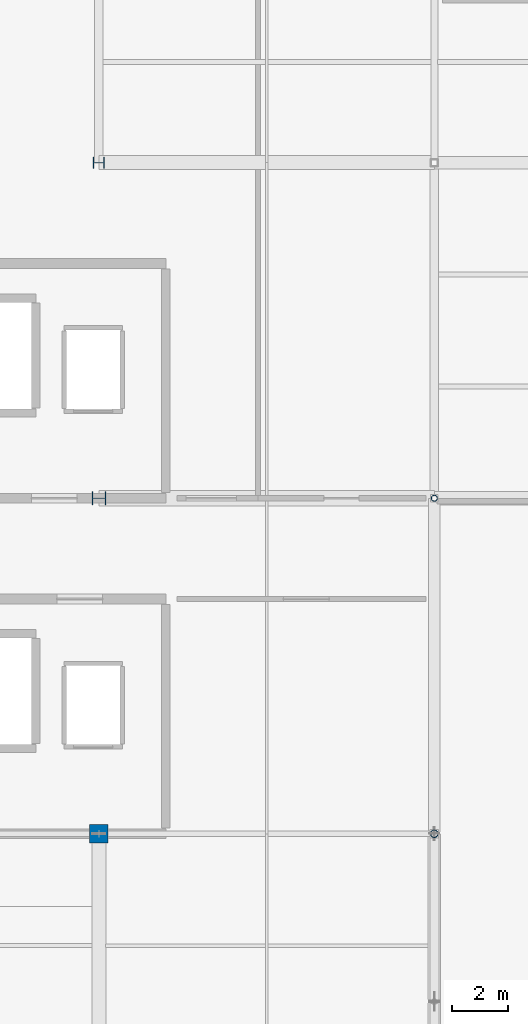
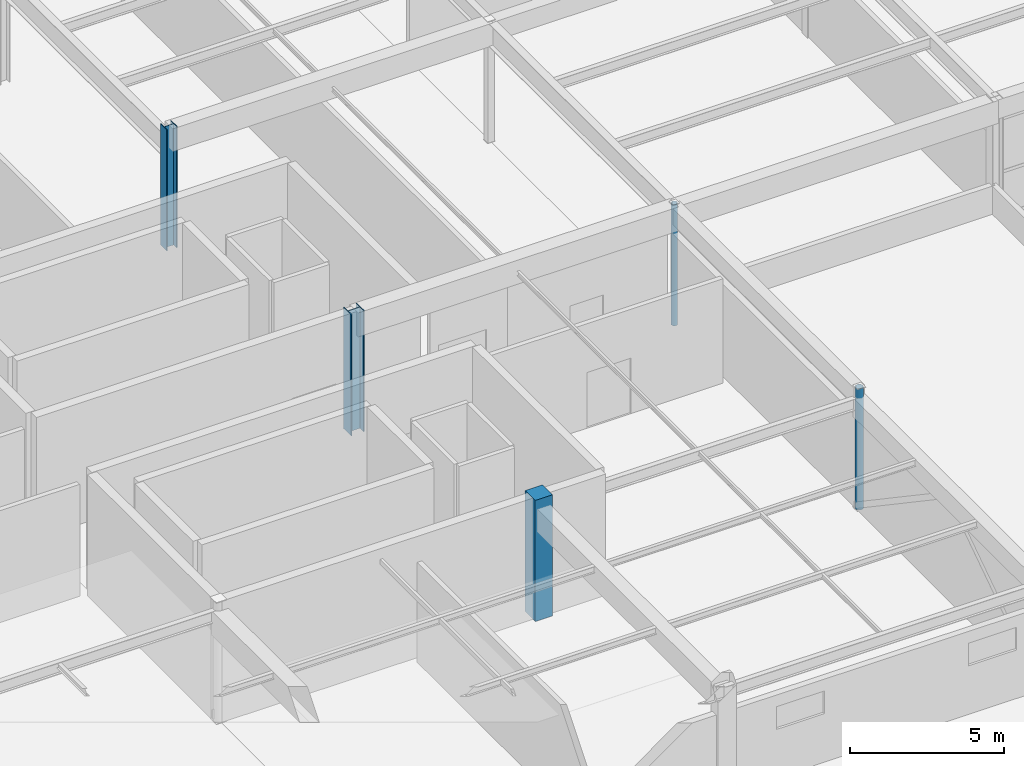
# One storey, part 18 of 186: 5 columns.
"""IFC4 building model written with IfcOpenShell, lengths in metres."""

from ifc_helpers import new_model, si_unit, direction, frame, origin, origin_2d, place, context, subcontext, project, spatial, rectangle, hollow_circle, i_section, extrude, material, material_profile, profile_set, type_object, element, save


model = new_model("IFC4")

# Units and contexts
model_context = context("Model", 3, precision=1e-05, world=origin(), true_north=direction((0.0, 1.0)))
body_context = subcontext(model_context, "Body", "Model", "MODEL_VIEW")
ifc_project = project(units=[si_unit("LENGTHUNIT", "METRE"), si_unit("AREAUNIT", "SQUARE_METRE"), si_unit("VOLUMEUNIT", "CUBIC_METRE"), si_unit("PLANEANGLEUNIT", "RADIAN"), si_unit("MASSUNIT", "GRAM", prefix="KILO")], contexts=[model_context])

# Site, building, storey
site_placement = place(None, origin())
site = spatial("IfcSite", under=ifc_project, at=site_placement, CompositionType="ELEMENT")
building_placement = place(site_placement, origin())
building = spatial("IfcBuilding", under=site, at=building_placement, Name="Tarnwether General Hospital", CompositionType="ELEMENT")
storey_placement = place(building_placement, frame((0.0, 0.0, 9.60009765625)))
storey = spatial("IfcBuildingStorey", under=building, at=storey_placement, Name="L02", CompositionType="ELEMENT", Elevation=9.60009765625)

# Columns
ifc_material_1 = material(Name="Steel Grade 350 (350 MPa)", Category="steel")
ifc_material_profile_1 = material_profile(ifc_material_1, i_section(OverallWidth=0.5, OverallDepth=0.5, WebThickness=0.02197265625, FlangeThickness=0.035888671875, at=origin_2d()), Name="500WC380")
ifc_profile_set_1 = profile_set([ifc_material_profile_1], Name="Steel Grade 350 (350 MPa)")
column_type_1 = type_object("IfcColumnType", Name="COL-01", PredefinedType="COLUMN", material=ifc_profile_set_1)
column_1_placement = place(storey_placement, frame((36.0, 81.60009765625, 0.0), z_axis=(0.0, 0.0, 1.0), x_axis=(0.0, 1.0, 0.0)))
element("IfcColumn", 1, at=column_1_placement, inside=storey, type_object=column_type_1, Name="Column COLG-L02-3600_8160", PredefinedType="COLUMN", context=body_context, shape_type="SweptSolid", body=[
    extrude(i_section(OverallWidth=0.5, OverallDepth=0.5, WebThickness=0.02197265625, FlangeThickness=0.035888671875, at=origin_2d()), origin(), (0.0, 0.0, 1.0), 4.7998046875),
])
ifc_material_2 = material(Name="Steel Grade 350 (350 MPa)", Category="steel")
ifc_material_profile_2 = material_profile(ifc_material_2, i_section(OverallWidth=0.39990234375, OverallDepth=0.39990234375, WebThickness=0.02001953125, FlangeThickness=0.028076171875, at=origin_2d()), Name="400WC270")
ifc_profile_set_2 = profile_set([ifc_material_profile_2], Name="Steel Grade 350 (350 MPa)")
column_type_2 = type_object("IfcColumnType", Name="COL-02", PredefinedType="COLUMN", material=ifc_profile_set_2)
column_2_placement = place(storey_placement, frame((36.0, 93.60009765625, 0.0), z_axis=(0.0, 0.0, 1.0), x_axis=(0.0, 1.0, 0.0)))
element("IfcColumn", 2, at=column_2_placement, inside=storey, type_object=column_type_2, Name="Column COLG-L02-3600_9360", PredefinedType="COLUMN", context=body_context, shape_type="SweptSolid", body=[
    extrude(i_section(OverallWidth=0.39990234375, OverallDepth=0.39990234375, WebThickness=0.02001953125, FlangeThickness=0.028076171875, at=origin_2d()), origin(), (0.0, 0.0, 1.0), 4.7998046875),
])
ifc_material_3 = material(Name="Steel Grade C350L0 (350 MPa)", Category="steel")
ifc_material_profile_3 = material_profile(ifc_material_3, hollow_circle(Radius=0.136474609375, WallThickness=0.0126953125, at=origin_2d()), Name="CHS273.1x12.7")
ifc_profile_set_3 = profile_set([ifc_material_profile_3], Name="Steel Grade C350L0 (350 MPa)")
column_type_3 = type_object("IfcColumnType", Name="COL-12", PredefinedType="COLUMN", material=ifc_profile_set_3)
column_3_placement = place(storey_placement, frame((48.0, 69.60009765625, 0.0), z_axis=(0.0, 0.0, 1.0), x_axis=(1.0, 0.0, 0.0)))
element("IfcColumn", 3, at=column_3_placement, inside=storey, type_object=column_type_3, Name="Column COLG-L02-4800_6960", PredefinedType="COLUMN", context=body_context, shape_type="SweptSolid", body=[
    extrude(hollow_circle(Radius=0.136474609375, WallThickness=0.0126953125, at=origin_2d()), origin(), (0.0, 0.0, 1.0), 4.7998046875),
])
ifc_material_4 = material(Name="Steel Grade C350L0 (350 MPa)", Category="steel")
ifc_material_profile_4 = material_profile(ifc_material_4, hollow_circle(Radius=0.109619140625, WallThickness=0.010009765625, at=origin_2d()), Name="CHS219.1x10.0")
ifc_profile_set_4 = profile_set([ifc_material_profile_4], Name="Steel Grade C350L0 (350 MPa)")
column_type_4 = type_object("IfcColumnType", Name="COL-13", PredefinedType="COLUMN", material=ifc_profile_set_4)
column_4_placement = place(storey_placement, frame((48.0, 81.60009765625, 0.0), z_axis=(0.0, 0.0, 1.0), x_axis=(1.0, 0.0, 0.0)))
element("IfcColumn", 4, at=column_4_placement, inside=storey, type_object=column_type_4, Name="Column COLG-L02-4800_8160", PredefinedType="COLUMN", context=body_context, shape_type="SweptSolid", body=[
    extrude(hollow_circle(Radius=0.109619140625, WallThickness=0.010009765625, at=origin_2d()), origin(), (0.0, 0.0, 1.0), 4.7998046875),
])
ifc_material_5 = material(Name="Concrete 50 MPa", Category="concrete")
ifc_material_profile_5 = material_profile(ifc_material_5, rectangle(XDim=0.64990234375, YDim=0.64990234375, at=origin_2d()), Name="RC-COL-650x650")
ifc_profile_set_5 = profile_set([ifc_material_profile_5], Name="Concrete 50 MPa")
column_type_5 = type_object("IfcColumnType", Name="COL-35", PredefinedType="COLUMN", material=ifc_profile_set_5)
column_5_placement = place(storey_placement, frame((36.0, 69.60009765625, 0.0), z_axis=(0.0, 0.0, 1.0), x_axis=(0.0, 1.0, 0.0)))
element("IfcColumn", 5, at=column_5_placement, inside=storey, type_object=column_type_5, Name="Column COLG-L02-3600_6960", PredefinedType="COLUMN", context=body_context, shape_type="SweptSolid", body=[
    extrude(rectangle(XDim=0.64990234375, YDim=0.64990234375, at=origin_2d()), origin(), (0.0, 0.0, 1.0), 4.7998046875),
])

save(model, "model.ifc")
